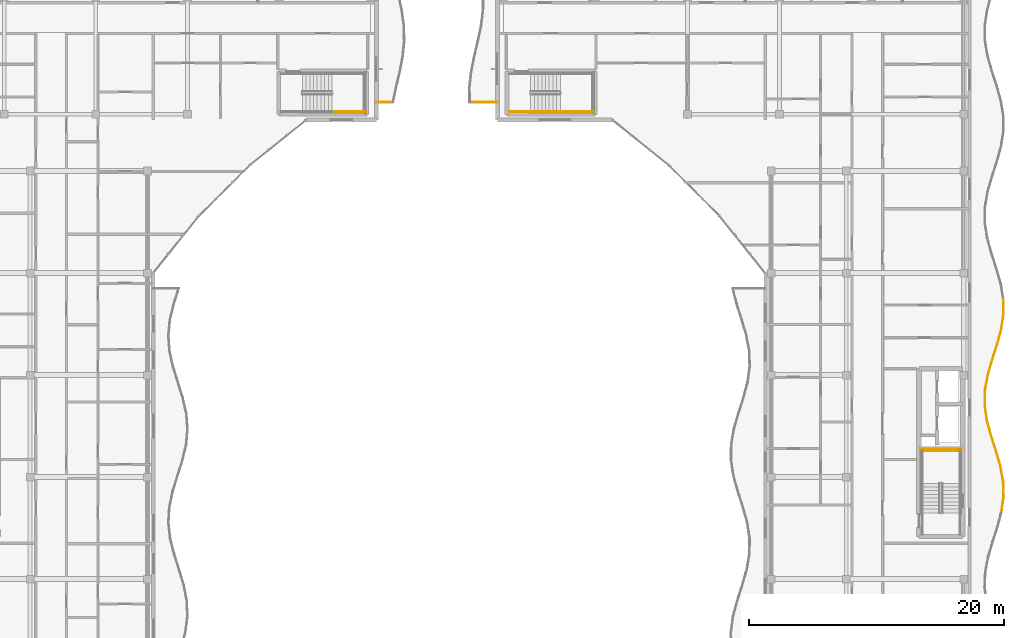
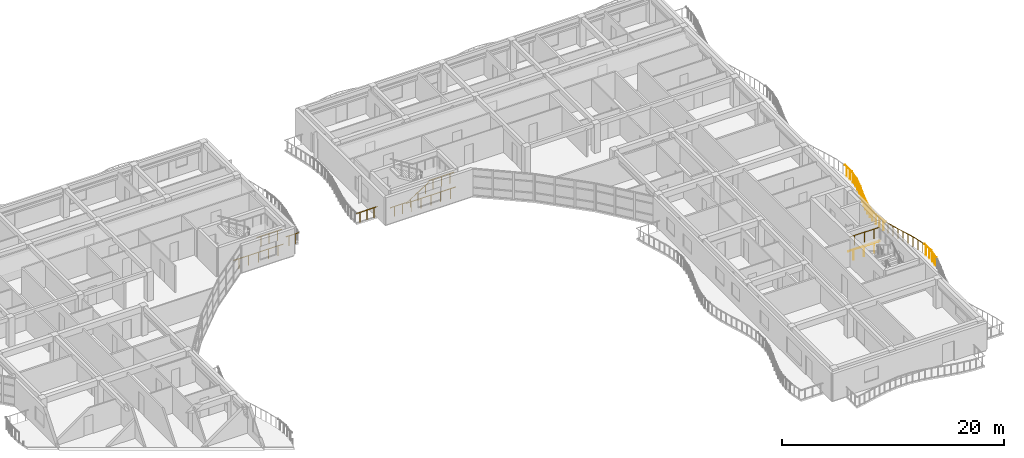
# One storey, part 67 of 71: 24 railings.
"""IFC4 building model written with IfcOpenShell, lengths in metres."""

from ifc_helpers import new_model, si_unit, direction, frame, origin, origin_2d, place, context, subcontext, project, spatial, circle, extrude, material, type_object, element, save


model = new_model("IFC4")

# Units and contexts
model_context = context("Model", 3, precision=1e-05, world=origin(), true_north=direction((0.0, 1.0)))
body_context = subcontext(model_context, "Body", "Model", "MODEL_VIEW")
ifc_project = project(units=[si_unit("LENGTHUNIT", "METRE"), si_unit("AREAUNIT", "SQUARE_METRE"), si_unit("VOLUMEUNIT", "CUBIC_METRE"), si_unit("PLANEANGLEUNIT", "RADIAN"), si_unit("MASSUNIT", "GRAM", prefix="KILO")], contexts=[model_context])

# Site, building, storey
site_placement = place(None, origin())
site = spatial("IfcSite", under=ifc_project, at=site_placement, CompositionType="ELEMENT")
building_placement = place(site_placement, origin())
building = spatial("IfcBuilding", under=site, at=building_placement, Name="Keldmere Railside Commons", CompositionType="ELEMENT")
storey_placement = place(building_placement, frame((0.0, 0.0, 20.159912109375)))
storey = spatial("IfcBuildingStorey", under=building, at=storey_placement, Name="L06", CompositionType="ELEMENT", Elevation=20.159912109375)

# Railings
ifc_material = material(Name="Steel F-24 (S235)", Category="steel")
railing_type_1 = type_object("IfcRailingType", Name="Balcony & Terrace Steel Balustrade 1100", PredefinedType="BALUSTRADE", material=ifc_material)
railing_1_placement = place(storey_placement, frame((137.5, 101.39990234375, 0.0)))
element("IfcRailing", 1, at=railing_1_placement, inside=storey, type_object=railing_type_1, Name="GR-1 GRD-L06-2591", PredefinedType="BALUSTRADE", context=body_context, shape_type="SweptSolid", body=[
    extrude(circle(Radius=0.02392578125, at=origin_2d()), frame((0.0, 0.0, 1.076171875), z_axis=(1.0, 0.0, 0.0), x_axis=(0.0, 1.0, 0.0)), (0.0, 0.0, 1.0), 1.302734375),
    extrude(circle(Radius=0.02099609375, at=origin_2d()), frame((0.32568359375, 0.0, 0.0)), (0.0, 0.0, 1.0), 1.048095703125),
    extrude(circle(Radius=0.02099609375, at=origin_2d()), frame((0.97705078125, 0.0, 0.0)), (0.0, 0.0, 1.0), 1.048095703125),
])
railing_2_placement = place(storey_placement, frame((186.529541015625, 69.316650390625, 0.0)))
element("IfcRailing", 2, at=railing_2_placement, inside=storey, type_object=railing_type_1, Name="GR-1 GRD-L06-3889", PredefinedType="BALUSTRADE", context=body_context, shape_type="SweptSolid", body=[
    extrude(circle(Radius=0.02392578125, at=origin_2d()), frame((0.0, 0.0, 1.076171875), z_axis=(0.133001610948, 0.991115821428, 0.0), x_axis=(-0.991115821428, 0.133001610948, 0.0)), (0.0, 0.0, 1.0), 1.202392578125),
    extrude(circle(Radius=0.02099609375, at=origin_2d()), frame((0.0400390625, 0.2978515625, 0.0)), (0.0, 0.0, 1.0), 1.048095703125),
    extrude(circle(Radius=0.02099609375, at=origin_2d()), frame((0.119873046875, 0.893798828125, 0.0)), (0.0, 0.0, 1.0), 1.048095703125),
])
railing_3_placement = place(storey_placement, frame((186.689453125, 70.50830078125, 0.0)))
element("IfcRailing", 3, at=railing_3_placement, inside=storey, type_object=railing_type_1, Name="GR-1 GRD-L06-3890", PredefinedType="BALUSTRADE", context=body_context, shape_type="SweptSolid", body=[
    extrude(circle(Radius=0.02392578125, at=origin_2d()), frame((0.0, 0.0, 1.076171875), z_axis=(-0.029898530853, 0.999552938995, 0.0), x_axis=(-0.999552938995, -0.029898530853, 0.0)), (0.0, 0.0, 1.0), 1.192138671875),
    extrude(circle(Radius=0.02099609375, at=origin_2d()), frame((-0.0087890625, 0.2978515625, 0.0)), (0.0, 0.0, 1.0), 1.048095703125),
    extrude(circle(Radius=0.02099609375, at=origin_2d()), frame((-0.02685546875, 0.893798828125, 0.0)), (0.0, 0.0, 1.0), 1.048095703125),
])
railing_4_placement = place(storey_placement, frame((186.65380859375, 71.699951171875, 0.0)))
element("IfcRailing", 4, at=railing_4_placement, inside=storey, type_object=railing_type_1, Name="GR-1 GRD-L06-3891", PredefinedType="BALUSTRADE", context=body_context, shape_type="SweptSolid", body=[
    extrude(circle(Radius=0.02392578125, at=origin_2d()), frame((0.0, 0.0, 1.076171875), z_axis=(-0.182695112211, 0.983169617093, 0.0), x_axis=(-0.983169617093, -0.182695112211, 0.0)), (0.0, 0.0, 1.0), 1.212158203125),
    extrude(circle(Radius=0.02099609375, at=origin_2d()), frame((-0.055419921875, 0.2978515625, 0.0)), (0.0, 0.0, 1.0), 1.048095703125),
    extrude(circle(Radius=0.02099609375, at=origin_2d()), frame((-0.166015625, 0.893798828125, 0.0)), (0.0, 0.0, 1.0), 1.048095703125),
])
railing_5_placement = place(storey_placement, frame((186.432373046875, 72.8916015625, 0.0)))
element("IfcRailing", 5, at=railing_5_placement, inside=storey, type_object=railing_type_1, Name="GR-1 GRD-L06-3892", PredefinedType="BALUSTRADE", context=body_context, shape_type="SweptSolid", body=[
    extrude(circle(Radius=0.02392578125, at=origin_2d()), frame((0.0, 0.0, 1.076171875), z_axis=(-0.281154931184, 0.959662390985, 0.0), x_axis=(-0.959662390985, -0.281154931184, 0.0)), (0.0, 0.0, 1.0), 1.24169921875),
    extrude(circle(Radius=0.02099609375, at=origin_2d()), frame((-0.08740234375, 0.2978515625, 0.0)), (0.0, 0.0, 1.0), 1.048095703125),
    extrude(circle(Radius=0.02099609375, at=origin_2d()), frame((-0.26171875, 0.893798828125, 0.0)), (0.0, 0.0, 1.0), 1.048095703125),
])
railing_6_placement = place(storey_placement, frame((186.083251953125, 74.083251953125, 0.0)))
element("IfcRailing", 6, at=railing_6_placement, inside=storey, type_object=railing_type_1, Name="GR-1 GRD-L06-3893", PredefinedType="BALUSTRADE", context=body_context, shape_type="SweptSolid", body=[
    extrude(circle(Radius=0.02392578125, at=origin_2d()), frame((0.0, 0.0, 1.076171875), z_axis=(-0.307088230282, 0.951681048893, 0.0), x_axis=(-0.951681048893, -0.307088230282, 0.0)), (0.0, 0.0, 1.0), 1.252197265625),
    extrude(circle(Radius=0.02099609375, at=origin_2d()), frame((-0.09619140625, 0.2978515625, 0.0)), (0.0, 0.0, 1.0), 1.048095703125),
    extrude(circle(Radius=0.02099609375, at=origin_2d()), frame((-0.288330078125, 0.893798828125, 0.0)), (0.0, 0.0, 1.0), 1.048095703125),
])
railing_7_placement = place(storey_placement, frame((185.69873046875, 75.27490234375, 0.0)))
element("IfcRailing", 7, at=railing_7_placement, inside=storey, type_object=railing_type_1, Name="GR-1 GRD-L06-3894", PredefinedType="BALUSTRADE", context=body_context, shape_type="SweptSolid", body=[
    extrude(circle(Radius=0.02392578125, at=origin_2d()), frame((0.0, 0.0, 1.076171875), z_axis=(-0.257687287386, 0.966228369445, 0.0), x_axis=(-0.966228369445, -0.257687287386, 0.0)), (0.0, 0.0, 1.0), 1.233642578125),
    extrude(circle(Radius=0.02099609375, at=origin_2d()), frame((-0.07958984375, 0.2978515625, 0.0)), (0.0, 0.0, 1.0), 1.048095703125),
    extrude(circle(Radius=0.02099609375, at=origin_2d()), frame((-0.23828125, 0.89404296875, 0.0)), (0.0, 0.0, 1.0), 1.048095703125),
])
railing_8_placement = place(storey_placement, frame((185.380859375, 76.466796875, 0.0)))
element("IfcRailing", 8, at=railing_8_placement, inside=storey, type_object=railing_type_1, Name="GR-1 GRD-L06-3895", PredefinedType="BALUSTRADE", context=body_context, shape_type="SweptSolid", body=[
    extrude(circle(Radius=0.02392578125, at=origin_2d()), frame((0.0, 0.0, 1.076171875), z_axis=(-0.139205084273, 0.990263573253, 0.0), x_axis=(-0.990263573253, -0.139205084273, 0.0)), (0.0, 0.0, 1.0), 1.203125),
    extrude(circle(Radius=0.02099609375, at=origin_2d()), frame((-0.0419921875, 0.2978515625, 0.0)), (0.0, 0.0, 1.0), 1.048095703125),
    extrude(circle(Radius=0.02099609375, at=origin_2d()), frame((-0.12548828125, 0.8935546875, 0.0)), (0.0, 0.0, 1.0), 1.048095703125),
])
railing_9_placement = place(storey_placement, frame((185.21337890625, 77.658203125, 0.0)))
element("IfcRailing", 9, at=railing_9_placement, inside=storey, type_object=railing_type_1, Name="GR-1 GRD-L06-3896", PredefinedType="BALUSTRADE", context=body_context, shape_type="SweptSolid", body=[
    extrude(circle(Radius=0.02392578125, at=origin_2d()), frame((0.0, 0.0, 1.076171875), z_axis=(0.022730708781, 0.99974162406, 0.0), x_axis=(-0.99974162406, 0.022730708781, 0.0)), (0.0, 0.0, 1.0), 1.192138671875),
    extrude(circle(Radius=0.02099609375, at=origin_2d()), frame((0.0068359375, 0.2978515625, 0.0)), (0.0, 0.0, 1.0), 1.048095703125),
    extrude(circle(Radius=0.02099609375, at=origin_2d()), frame((0.020263671875, 0.89404296875, 0.0)), (0.0, 0.0, 1.0), 1.048095703125),
])
railing_10_placement = place(storey_placement, frame((185.240478515625, 78.85009765625, 0.0)))
element("IfcRailing", 10, at=railing_10_placement, inside=storey, type_object=railing_type_1, Name="GR-1 GRD-L06-3897", PredefinedType="BALUSTRADE", context=body_context, shape_type="SweptSolid", body=[
    extrude(circle(Radius=0.02392578125, at=origin_2d()), frame((0.0, 0.0, 1.076171875), z_axis=(0.177430314032, 0.984133366807, 0.0), x_axis=(-0.984133366807, 0.177430314032, 0.0)), (0.0, 0.0, 1.0), 1.2109375),
    extrude(circle(Radius=0.02099609375, at=origin_2d()), frame((0.0537109375, 0.2978515625, 0.0)), (0.0, 0.0, 1.0), 1.048095703125),
    extrude(circle(Radius=0.02099609375, at=origin_2d()), frame((0.1611328125, 0.893798828125, 0.0)), (0.0, 0.0, 1.0), 1.048095703125),
])
railing_11_placement = place(storey_placement, frame((185.455322265625, 80.041748046875, 0.0)))
element("IfcRailing", 11, at=railing_11_placement, inside=storey, type_object=railing_type_1, Name="GR-1 GRD-L06-3898", PredefinedType="BALUSTRADE", context=body_context, shape_type="SweptSolid", body=[
    extrude(circle(Radius=0.02392578125, at=origin_2d()), frame((0.0, 0.0, 1.076171875), z_axis=(0.278435509504, 0.96045492713, 0.0), x_axis=(-0.96045492713, 0.278435509504, 0.0)), (0.0, 0.0, 1.0), 1.24072265625),
    extrude(circle(Radius=0.02099609375, at=origin_2d()), frame((0.08642578125, 0.2978515625, 0.0)), (0.0, 0.0, 1.0), 1.048095703125),
    extrude(circle(Radius=0.02099609375, at=origin_2d()), frame((0.259033203125, 0.893798828125, 0.0)), (0.0, 0.0, 1.0), 1.048095703125),
])
railing_12_placement = place(storey_placement, frame((185.80078125, 81.2333984375, 0.0)))
element("IfcRailing", 12, at=railing_12_placement, inside=storey, type_object=railing_type_1, Name="GR-1 GRD-L06-3899", PredefinedType="BALUSTRADE", context=body_context, shape_type="SweptSolid", body=[
    extrude(circle(Radius=0.02392578125, at=origin_2d()), frame((0.0, 0.0, 1.076171875), z_axis=(0.307441346299, 0.951567033154, 0.0), x_axis=(-0.951567033154, 0.307441346299, 0.0)), (0.0, 0.0, 1.0), 1.252197265625),
    extrude(circle(Radius=0.02099609375, at=origin_2d()), frame((0.09619140625, 0.2978515625, 0.0)), (0.0, 0.0, 1.0), 1.048095703125),
    extrude(circle(Radius=0.02099609375, at=origin_2d()), frame((0.288818359375, 0.893798828125, 0.0)), (0.0, 0.0, 1.0), 1.048095703125),
])
railing_13_placement = place(storey_placement, frame((186.185791015625, 82.425048828125, 0.0)))
element("IfcRailing", 13, at=railing_13_placement, inside=storey, type_object=railing_type_1, Name="GR-1 GRD-L06-3900", PredefinedType="BALUSTRADE", context=body_context, shape_type="SweptSolid", body=[
    extrude(circle(Radius=0.02392578125, at=origin_2d()), frame((0.0, 0.0, 1.076171875), z_axis=(0.26124274024, 0.965273137859, 0.0), x_axis=(-0.965273137859, 0.26124274024, 0.0)), (0.0, 0.0, 1.0), 1.234619140625),
    extrude(circle(Radius=0.02099609375, at=origin_2d()), frame((0.08056640625, 0.2978515625, 0.0)), (0.0, 0.0, 1.0), 1.048095703125),
    extrude(circle(Radius=0.02099609375, at=origin_2d()), frame((0.241943359375, 0.893798828125, 0.0)), (0.0, 0.0, 1.0), 1.048095703125),
])
railing_14_placement = place(storey_placement, frame((186.50830078125, 83.61669921875, 0.0)))
element("IfcRailing", 14, at=railing_14_placement, inside=storey, type_object=railing_type_1, Name="GR-1 GRD-L06-3901", PredefinedType="BALUSTRADE", context=body_context, shape_type="SweptSolid", body=[
    extrude(circle(Radius=0.02392578125, at=origin_2d()), frame((0.0, 0.0, 1.076171875), z_axis=(0.145336427874, 0.989382293521, 0.0), x_axis=(-0.989382293521, 0.145336427874, 0.0)), (0.0, 0.0, 1.0), 1.204345703125),
    extrude(circle(Radius=0.02099609375, at=origin_2d()), frame((0.043701171875, 0.2978515625, 0.0)), (0.0, 0.0, 1.0), 1.048095703125),
    extrude(circle(Radius=0.02099609375, at=origin_2d()), frame((0.13134765625, 0.893798828125, 0.0)), (0.0, 0.0, 1.0), 1.048095703125),
])
railing_15_placement = place(storey_placement, frame((186.683349609375, 84.808349609375, 0.0)))
element("IfcRailing", 15, at=railing_15_placement, inside=storey, type_object=railing_type_1, Name="GR-1 GRD-L06-3902", PredefinedType="BALUSTRADE", context=body_context, shape_type="SweptSolid", body=[
    extrude(circle(Radius=0.02392578125, at=origin_2d()), frame((0.0, 0.0, 1.076171875), z_axis=(-0.015773493236, 0.999875590717, 0.0), x_axis=(-0.999875590717, -0.015773493236, 0.0)), (0.0, 0.0, 1.0), 1.19189453125),
    extrude(circle(Radius=0.02099609375, at=origin_2d()), frame((-0.004638671875, 0.2978515625, 0.0)), (0.0, 0.0, 1.0), 1.048095703125),
    extrude(circle(Radius=0.02099609375, at=origin_2d()), frame((-0.01416015625, 0.893798828125, 0.0)), (0.0, 0.0, 1.0), 1.048095703125),
])
railing_16_placement = place(storey_placement, frame((147.0, 101.39990234375, 0.0)))
element("IfcRailing", 16, at=railing_16_placement, inside=storey, type_object=railing_type_1, Name="GR-1 GRD-L06-3928", PredefinedType="BALUSTRADE", context=body_context, shape_type="SweptSolid", body=[
    extrude(circle(Radius=0.02392578125, at=origin_2d()), frame((0.0, 0.0, 1.076171875), z_axis=(-1.0, 0.0, 0.0), x_axis=(0.0, -1.0, 0.0)), (0.0, 0.0, 1.0), 2.1748046875),
    extrude(circle(Radius=0.02099609375, at=origin_2d()), frame((-0.362548828125, 0.0, 0.0)), (0.0, 0.0, 1.0), 1.048095703125),
    extrude(circle(Radius=0.02099609375, at=origin_2d()), frame((-1.08740234375, 0.0, 0.0)), (0.0, 0.0, 1.0), 1.048095703125),
    extrude(circle(Radius=0.02099609375, at=origin_2d()), frame((-1.812255859375, 0.0, 0.0)), (0.0, 0.0, 1.0), 1.048095703125),
])
railing_type_2 = type_object("IfcRailingType", Name="Stair Well Steel Guardrail 1100", PredefinedType="BALUSTRADE", material=ifc_material)
railing_17_placement = place(storey_placement, frame((134.02001953125, 100.64990234375, 1.60009765625)))
element("IfcRailing", 17, at=railing_17_placement, inside=storey, type_object=railing_type_2, Name="L06 ST-B2 stair guard 3", PredefinedType="BALUSTRADE", context=body_context, shape_type="SweptSolid", body=[
    extrude(circle(Radius=0.02392578125, at=origin_2d()), frame((0.0, 0.0, 1.076171875), z_axis=(1.0, 0.0, 0.0), x_axis=(0.0, 1.0, 0.0)), (0.0, 0.0, 1.0), 2.580078125),
    extrude(circle(Radius=0.02099609375, at=origin_2d()), frame((0.429931640625, 0.0, 0.0)), (0.0, 0.0, 1.0), 1.048095703125),
    extrude(circle(Radius=0.02099609375, at=origin_2d()), frame((1.2900390625, 0.0, 0.0)), (0.0, 0.0, 1.0), 1.048095703125),
    extrude(circle(Radius=0.02099609375, at=origin_2d()), frame((2.150146484375, 0.0, 0.0)), (0.0, 0.0, 1.0), 1.048095703125),
])
railing_18_placement = place(storey_placement, frame((131.60009765625, 100.550048828125, 0.0)))
element("IfcRailing", 18, at=railing_18_placement, inside=storey, type_object=railing_type_2, Name="L06 ST-B2 stair guard 10", PredefinedType="BALUSTRADE", context=body_context, shape_type="SweptSolid", body=[
    extrude(circle(Radius=0.02392578125, at=origin_2d()), frame((0.0, 0.0, 1.076171875), z_axis=(1.0, 0.0, 0.0), x_axis=(0.0, 1.0, 0.0)), (0.0, 0.0, 1.0), 5.099853515625),
    extrude(circle(Radius=0.02099609375, at=origin_2d()), frame((0.510009765625, 0.0, 0.0)), (0.0, 0.0, 1.0), 1.048095703125),
    extrude(circle(Radius=0.02099609375, at=origin_2d()), frame((1.530029296875, 0.0, 0.0)), (0.0, 0.0, 1.0), 1.048095703125),
    extrude(circle(Radius=0.02099609375, at=origin_2d()), frame((2.5498046875, 0.0, 0.0)), (0.0, 0.0, 1.0), 1.048095703125),
    extrude(circle(Radius=0.02099609375, at=origin_2d()), frame((3.56982421875, 0.0, 0.0)), (0.0, 0.0, 1.0), 1.048095703125),
    extrude(circle(Radius=0.02099609375, at=origin_2d()), frame((4.58984375, 0.0, 0.0)), (0.0, 0.0, 1.0), 1.048095703125),
])
railing_19_placement = place(storey_placement, frame((183.300048828125, 74.050048828125, 1.60009765625)))
element("IfcRailing", 19, at=railing_19_placement, inside=storey, type_object=railing_type_2, Name="L06 ST-A1 stair guard 5", PredefinedType="BALUSTRADE", context=body_context, shape_type="SweptSolid", body=[
    extrude(circle(Radius=0.02392578125, at=origin_2d()), frame((0.0, 0.0, 1.076171875), z_axis=(-1.0, 0.0, 0.0), x_axis=(0.0, -1.0, 0.0)), (0.0, 0.0, 1.0), 3.050048828125),
    extrude(circle(Radius=0.02099609375, at=origin_2d()), frame((-0.50830078125, 0.0, 0.0)), (0.0, 0.0, 1.0), 1.048095703125),
    extrude(circle(Radius=0.02099609375, at=origin_2d()), frame((-1.52490234375, 0.0, 0.0)), (0.0, 0.0, 1.0), 1.048095703125),
    extrude(circle(Radius=0.02099609375, at=origin_2d()), frame((-2.541748046875, 0.0, 0.0)), (0.0, 0.0, 1.0), 1.048095703125),
])
railing_20_placement = place(storey_placement, frame((183.39990234375, 74.14990234375, 0.0)))
element("IfcRailing", 20, at=railing_20_placement, inside=storey, type_object=railing_type_2, Name="L06 ST-A1 stair guard 12", PredefinedType="BALUSTRADE", context=body_context, shape_type="SweptSolid", body=[
    extrude(circle(Radius=0.02392578125, at=origin_2d()), frame((0.0, 0.0, 1.076171875), z_axis=(-1.0, 0.0, 0.0), x_axis=(0.0, -1.0, 0.0)), (0.0, 0.0, 1.0), 3.25),
    extrude(circle(Radius=0.02099609375, at=origin_2d()), frame((-0.541748046875, 0.0, 0.0)), (0.0, 0.0, 1.0), 1.048095703125),
    extrude(circle(Radius=0.02099609375, at=origin_2d()), frame((-1.625, 0.0, 0.0)), (0.0, 0.0, 1.0), 1.048095703125),
    extrude(circle(Radius=0.02099609375, at=origin_2d()), frame((-2.708251953125, 0.0, 0.0)), (0.0, 0.0, 1.0), 1.048095703125),
])
railing_21_placement = place(storey_placement, frame((151.919921875, 100.64990234375, 1.60009765625)))
element("IfcRailing", 21, at=railing_21_placement, inside=storey, type_object=railing_type_2, Name="L06 ST-A2 stair guard 3", PredefinedType="BALUSTRADE", context=body_context, shape_type="SweptSolid", body=[
    extrude(circle(Radius=0.02392578125, at=origin_2d()), frame((0.0, 0.0, 1.076171875), z_axis=(1.0, 0.0, 0.0), x_axis=(0.0, 1.0, 0.0)), (0.0, 0.0, 1.0), 2.580078125),
    extrude(circle(Radius=0.02099609375, at=origin_2d()), frame((0.429931640625, 0.0, 0.0)), (0.0, 0.0, 1.0), 1.048095703125),
    extrude(circle(Radius=0.02099609375, at=origin_2d()), frame((1.2900390625, 0.0, 0.0)), (0.0, 0.0, 1.0), 1.048095703125),
    extrude(circle(Radius=0.02099609375, at=origin_2d()), frame((2.150146484375, 0.0, 0.0)), (0.0, 0.0, 1.0), 1.048095703125),
])
railing_22_placement = place(storey_placement, frame((147.89990234375, 100.64990234375, 0.0)))
element("IfcRailing", 22, at=railing_22_placement, inside=storey, type_object=railing_type_2, Name="L06 ST-A2 stair guard 8", PredefinedType="BALUSTRADE", context=body_context, shape_type="SweptSolid", body=[
    extrude(circle(Radius=0.02392578125, at=origin_2d()), frame((0.0, 0.0, 1.076171875), z_axis=(1.0, 0.0, 0.0), x_axis=(0.0, 1.0, 0.0)), (0.0, 0.0, 1.0), 1.7001953125),
    extrude(circle(Radius=0.02099609375, at=origin_2d()), frame((0.425048828125, 0.0, 0.0)), (0.0, 0.0, 1.0), 1.048095703125),
    extrude(circle(Radius=0.02099609375, at=origin_2d()), frame((1.275146484375, 0.0, 0.0)), (0.0, 0.0, 1.0), 1.048095703125),
])
railing_23_placement = place(storey_placement, frame((149.5, 100.550048828125, 0.0)))
element("IfcRailing", 23, at=railing_23_placement, inside=storey, type_object=railing_type_2, Name="L06 ST-A2 stair guard 10", PredefinedType="BALUSTRADE", context=body_context, shape_type="SweptSolid", body=[
    extrude(circle(Radius=0.02392578125, at=origin_2d()), frame((0.0, 0.0, 1.076171875), z_axis=(1.0, 0.0, 0.0), x_axis=(0.0, 1.0, 0.0)), (0.0, 0.0, 1.0), 5.10009765625),
    extrude(circle(Radius=0.02099609375, at=origin_2d()), frame((0.510009765625, 0.0, 0.0)), (0.0, 0.0, 1.0), 1.048095703125),
    extrude(circle(Radius=0.02099609375, at=origin_2d()), frame((1.530029296875, 0.0, 0.0)), (0.0, 0.0, 1.0), 1.048095703125),
    extrude(circle(Radius=0.02099609375, at=origin_2d()), frame((2.550048828125, 0.0, 0.0)), (0.0, 0.0, 1.0), 1.048095703125),
    extrude(circle(Radius=0.02099609375, at=origin_2d()), frame((3.570068359375, 0.0, 0.0)), (0.0, 0.0, 1.0), 1.048095703125),
    extrude(circle(Radius=0.02099609375, at=origin_2d()), frame((4.590087890625, 0.0, 0.0)), (0.0, 0.0, 1.0), 1.048095703125),
])
railing_type_3 = type_object("IfcRailingType", Name="Wall-Mounted Tubular Steel Handrail 900", PredefinedType="HANDRAIL", material=ifc_material)
railing_24_placement = place(storey_placement, frame((149.60009765625, 100.64990234375, 0.177978515625)))
element("IfcRailing", 24, at=railing_24_placement, inside=storey, type_object=railing_type_3, Name="L06 ST-A2 stair handrail 1", PredefinedType="HANDRAIL", context=body_context, shape_type="SweptSolid", body=[
    extrude(circle(Radius=0.02392578125, at=origin_2d()), frame((0.0, 0.0, 0.8759765625), z_axis=(0.85255353654, 0.0, 0.522639902162), x_axis=(0.0, 1.0, 0.0)), (0.0, 0.0, 1.0), 2.720947265625),
    extrude(circle(Radius=0.02099609375, at=origin_2d()), frame((0.38671875, 0.0, 0.237060546875)), (0.0, 0.0, 1.0), 0.847900390625),
    extrude(circle(Radius=0.02099609375, at=origin_2d()), frame((1.159912109375, 0.0, 0.7109375)), (0.0, 0.0, 1.0), 0.847900390625),
    extrude(circle(Radius=0.02099609375, at=origin_2d()), frame((1.93310546875, 0.0, 1.18505859375)), (0.0, 0.0, 1.0), 0.847900390625),
])

save(model, "model.ifc")
